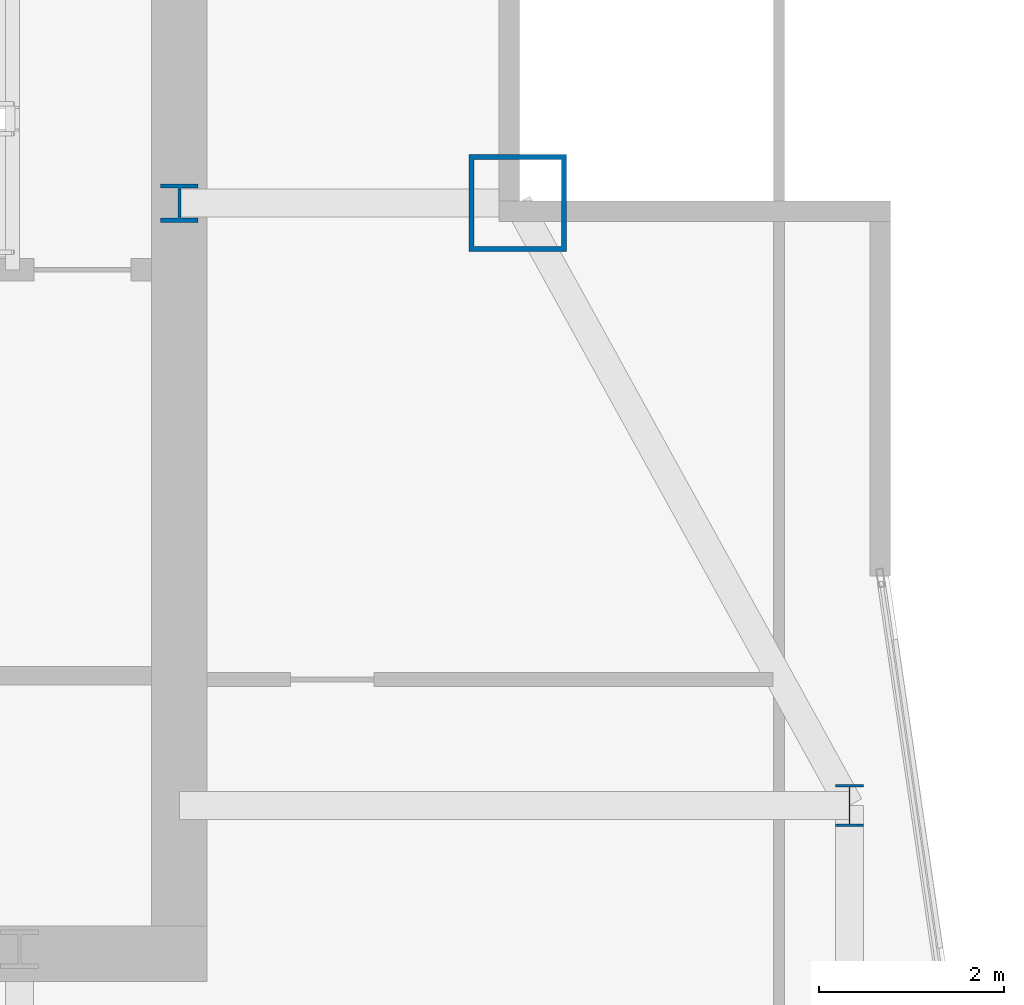
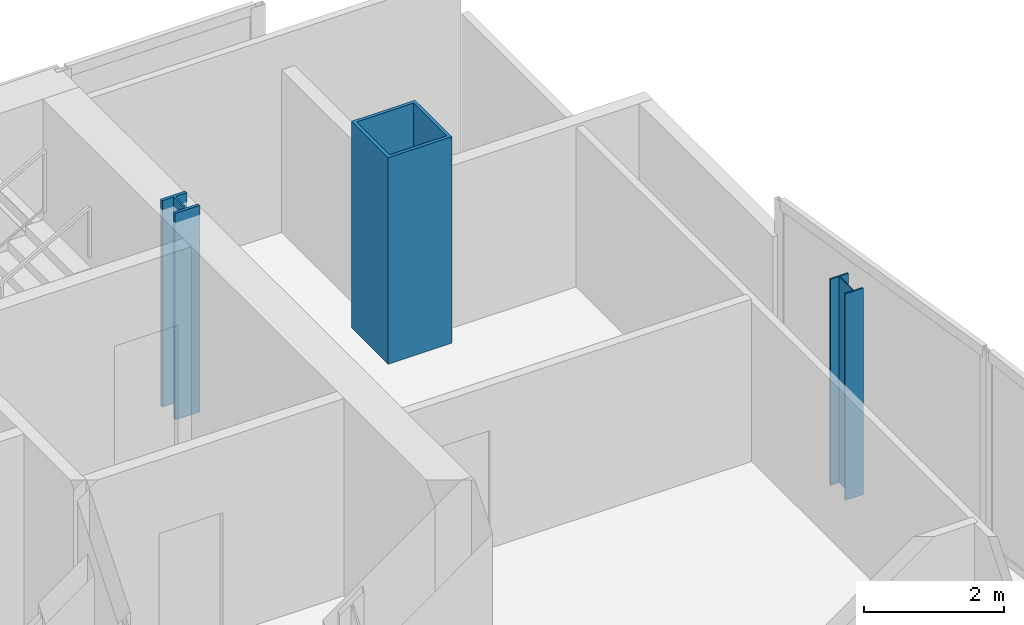
# One storey, part 4 of 31: 3 columns.
"""IFC4 building model written with IfcOpenShell, lengths in metres."""

from ifc_helpers import new_model, si_unit, direction, frame, origin, origin_2d, place, context, subcontext, project, spatial, hollow_rectangle, i_section, extrude, material, material_profile, profile_set, type_object, element, save


model = new_model("IFC4")

# Units and contexts
model_context = context("Model", 3, precision=1e-05, world=origin(), true_north=direction((0.0, 1.0)))
body_context = subcontext(model_context, "Body", "Model", "MODEL_VIEW")
ifc_project = project(units=[si_unit("LENGTHUNIT", "METRE"), si_unit("AREAUNIT", "SQUARE_METRE"), si_unit("VOLUMEUNIT", "CUBIC_METRE"), si_unit("PLANEANGLEUNIT", "RADIAN"), si_unit("MASSUNIT", "GRAM", prefix="KILO")], contexts=[model_context])

# Site, building, storey
site_placement = place(None, origin())
site = spatial("IfcSite", under=ifc_project, at=site_placement, CompositionType="ELEMENT")
building_placement = place(site_placement, origin())
building = spatial("IfcBuilding", under=site, at=building_placement, Name="Khoronbel Lancet Exchange", CompositionType="ELEMENT")
storey_placement = place(building_placement, frame((0.0, 0.0, 249.800048828125)))
storey = spatial("IfcBuildingStorey", under=building, at=storey_placement, Name="L64", CompositionType="ELEMENT", Elevation=249.800048828125)

# Columns
ifc_material_1 = material(Name="Steel S355", Category="steel")
ifc_material_profile_1 = material_profile(ifc_material_1, i_section(OverallWidth=0.406005859375, OverallDepth=0.416015625, WebThickness=0.02978515625, FlangeThickness=0.048095703125, at=origin_2d()), Name="HD 400x382")
ifc_profile_set_1 = profile_set([ifc_material_profile_1], Name="Steel S355")
column_type_1 = type_object("IfcColumnType", Name="COL-IC3", PredefinedType="COLUMN", material=ifc_profile_set_1)
column_1_placement = place(storey_placement, frame((56.39990234375, 49.699951171875, 0.0), z_axis=(0.0, 0.0, 1.0), x_axis=(1.0, 0.0, 0.0)))
element("IfcColumn", 1, at=column_1_placement, inside=storey, type_object=column_type_1, Name="Core-flank plumb transfer column CFE L64", PredefinedType="COLUMN", context=body_context, shape_type="SweptSolid", body=[
    extrude(i_section(OverallWidth=0.406005859375, OverallDepth=0.416015625, WebThickness=0.02978515625, FlangeThickness=0.048095703125, at=origin_2d()), origin(), (0.0, 0.0, 1.0), 3.599853515625),
])
ifc_material_profile_2 = material_profile(ifc_material_1, i_section(OverallWidth=0.300048828125, OverallDepth=0.449951171875, WebThickness=0.013916015625, FlangeThickness=0.02587890625, at=origin_2d()), Name="HEB 450")
ifc_profile_set_2 = profile_set([ifc_material_profile_2], Name="Steel S355")
column_type_2 = type_object("IfcColumnType", Name="COL-LC2", PredefinedType="COLUMN", material=ifc_profile_set_2)
column_2_placement = place(storey_placement, frame((63.6298828125, 43.199951171875, 0.0), z_axis=(0.0, 0.0, 1.0), x_axis=(1.0, 0.0, 0.0)))
element("IfcColumn", 2, at=column_2_placement, inside=storey, type_object=column_type_2, Name="Structural column EC-4 L64", PredefinedType="COLUMN", context=body_context, shape_type="SweptSolid", body=[
    extrude(i_section(OverallWidth=0.300048828125, OverallDepth=0.449951171875, WebThickness=0.013916015625, FlangeThickness=0.02587890625, at=origin_2d()), origin(), (0.0, 0.0, 1.0), 3.599853515625),
])
ifc_material_2 = material(Name="Steel S460", Category="steel")
ifc_material_profile_3 = material_profile(ifc_material_2, hollow_rectangle(XDim=1.050048828125, YDim=1.050048828125, WallThickness=0.054931640625, at=origin_2d()), Name="BOX 1050x1050x55")
ifc_profile_set_3 = profile_set([ifc_material_profile_3], Name="Steel S460")
column_type_3 = type_object("IfcColumnType", Name="COL-MC6", PredefinedType="COLUMN", material=ifc_profile_set_3)
column_3_placement = place(storey_placement, frame((60.050048828125, 49.699951171875, 0.0), z_axis=(0.0, 0.0, 1.0), x_axis=(1.0, 0.0, 0.0)))
element("IfcColumn", 3, at=column_3_placement, inside=storey, type_object=column_type_3, Name="Structural column MC-NE L64", PredefinedType="COLUMN", context=body_context, shape_type="SweptSolid", body=[
    extrude(hollow_rectangle(XDim=1.050048828125, YDim=1.050048828125, WallThickness=0.054931640625, at=origin_2d()), origin(), (0.0, 0.0, 1.0), 3.599853515625),
])

save(model, "model.ifc")
